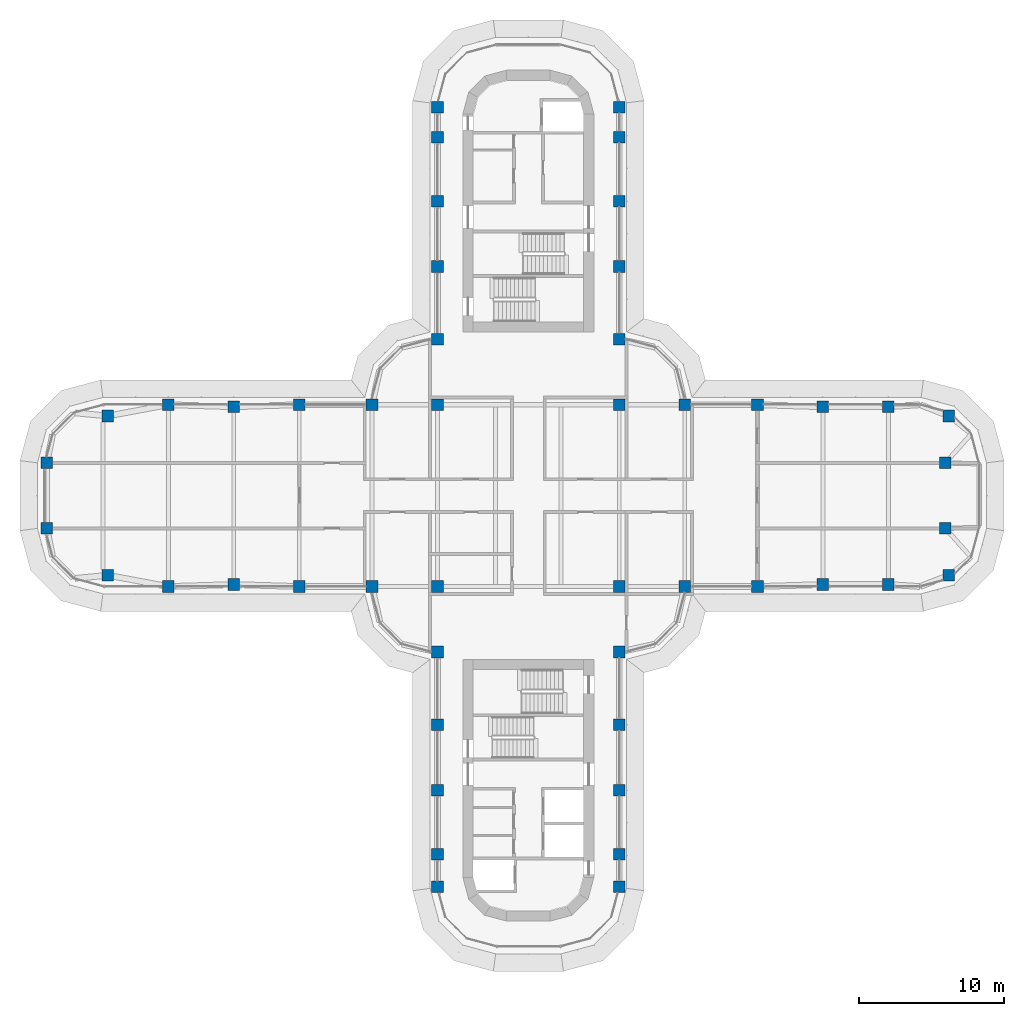
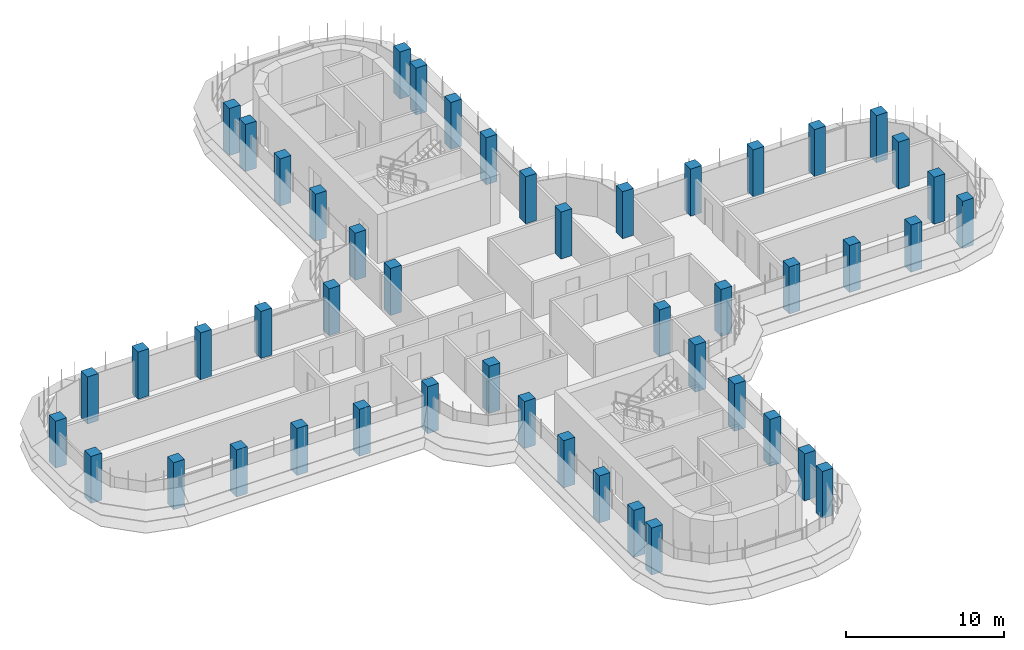
# One storey, part 1 of 19: 48 columns.
"""IFC4 building model written with IfcOpenShell, lengths in metres."""

from ifc_helpers import new_model, si_unit, direction, frame, origin, origin_2d, place, context, subcontext, project, spatial, rectangle, extrude, material, material_profile, profile_set, type_object, element, save


model = new_model("IFC4")

# Units and contexts
model_context = context("Model", 3, precision=1e-05, world=origin(), true_north=direction((0.0, 1.0)))
body_context = subcontext(model_context, "Body", "Model", "MODEL_VIEW")
ifc_project = project(units=[si_unit("LENGTHUNIT", "METRE"), si_unit("AREAUNIT", "SQUARE_METRE"), si_unit("VOLUMEUNIT", "CUBIC_METRE"), si_unit("PLANEANGLEUNIT", "RADIAN"), si_unit("MASSUNIT", "GRAM", prefix="KILO")], contexts=[model_context])

# Site, building, storey
site_placement = place(None, origin())
site = spatial("IfcSite", under=ifc_project, at=site_placement, CompositionType="ELEMENT")
building_placement = place(site_placement, origin())
building = spatial("IfcBuilding", under=site, at=building_placement, Name="Zarbagh Exchange Tower", CompositionType="ELEMENT")
storey_placement = place(building_placement, frame((0.0, 0.0, 175.199951171875)))
storey = spatial("IfcBuildingStorey", under=building, at=storey_placement, Name="L42", CompositionType="ELEMENT", Elevation=175.199951171875)

# Columns
ifc_material = material(Name="Concrete C50/60", Category="concrete")
ifc_material_profile = material_profile(ifc_material, rectangle(XDim=0.800048828125, YDim=0.800048828125, at=origin_2d()), Name="RC column 800 x 800 C50/60")
ifc_profile_set = profile_set([ifc_material_profile], Name="Concrete C50/60")
column_type = type_object("IfcColumnType", Name="RC column 800 x 800 C50/60", PredefinedType="COLUMN", material=ifc_profile_set)
for number, where, z_axis, x_axis, name in (
    (1, (-33.110107421875, -2.25, 0.0), (0.0, 0.0, 1.0), (1.0, 0.0, 0.0), "C4 10/S"),
    (2, (-33.110107421875, 2.25, 0.0), (0.0, 0.0, 1.0), (1.0, 0.0, 0.0), "C4 10/T"),
    (3, (-28.907958984375, -5.47509765625, 0.0), (0.0, 0.0, 1.0), (1.0, 0.0, 0.0), "C4 11/R"),
    (4, (-28.907958984375, 5.47509765625, 0.0), (0.0, 0.0, 1.0), (1.0, 0.0, 0.0), "C4 11/U"),
    (5, (-24.75, -6.25, 0.0), (0.0, 0.0, 1.0), (1.0, 0.0, 0.0), "C4 12/R"),
    (6, (-24.75, 6.25, 0.0), (0.0, 0.0, 1.0), (1.0, 0.0, 0.0), "C4 12/U"),
    (7, (-20.25, -6.110107421875, 0.0), (0.0, 0.0, 1.0), (1.0, 0.0, 0.0), "C4 13/R"),
    (8, (-20.25, 6.110107421875, 0.0), (0.0, 0.0, 1.0), (1.0, 0.0, 0.0), "C4 13/U"),
    (9, (-15.75, -6.25, 0.0), (0.0, 0.0, 1.0), (1.0, 0.0, 0.0), "C4 14/R"),
    (10, (-15.75, 6.25, 0.0), (0.0, 0.0, 1.0), (1.0, 0.0, 0.0), "C4 14/U"),
    (11, (-10.75, -6.25, 0.0), (0.0, 0.0, 1.0), (1.0, 0.0, 0.0), "C4 15/R"),
    (12, (-10.75, 6.25, 0.0), (0.0, 0.0, 1.0), (1.0, 0.0, 0.0), "C4 15/U"),
    (13, (-6.25, -26.89990234375, 0.0), (0.0, 0.0, 1.0), (1.0, 0.0, 0.0), "C4 16/L"),
    (14, (-6.25, -24.64990234375, 0.0), (0.0, 0.0, 1.0), (1.0, 0.0, 0.0), "C4 16/M"),
    (15, (-6.25, -20.25, 0.0), (0.0, 0.0, 1.0), (1.0, 0.0, 0.0), "C4 16/N"),
    (16, (-6.25, -15.75, 0.0), (0.0, 0.0, 1.0), (1.0, 0.0, 0.0), "C4 16/P"),
    (17, (-6.25, -10.75, 0.0), (0.0, 0.0, 1.0), (1.0, 0.0, 0.0), "C4 16/Q"),
    (18, (-6.25, -6.25, 0.0), (0.0, 0.0, 1.0), (1.0, 0.0, 0.0), "C4 16/R"),
    (19, (-6.25, 6.25, 0.0), (0.0, 0.0, 1.0), (1.0, 0.0, 0.0), "C4 16/U"),
    (20, (-6.25, 10.75, 0.0), (0.0, 0.0, 1.0), (1.0, 0.0, 0.0), "C4 16/V"),
    (21, (-6.25, 15.75, 0.0), (0.0, 0.0, 1.0), (1.0, 0.0, 0.0), "C4 16/W"),
    (22, (-6.25, 20.25, 0.0), (0.0, 0.0, 1.0), (1.0, 0.0, 0.0), "C4 16/X"),
    (23, (-6.25, 24.64990234375, 0.0), (0.0, 0.0, 1.0), (1.0, 0.0, 0.0), "C4 16/Y"),
    (24, (-6.25, 26.699951171875, 0.0), (0.0, 0.0, 1.0), (1.0, 0.0, 0.0), "C4 16/Z"),
    (25, (6.25, -26.89990234375, 0.0), (0.0, 0.0, 1.0), (1.0, 0.0, 0.0), "C4 19/L"),
    (26, (6.25, -24.64990234375, 0.0), (0.0, 0.0, 1.0), (1.0, 0.0, 0.0), "C4 19/M"),
    (27, (6.25, -20.25, 0.0), (0.0, 0.0, 1.0), (1.0, 0.0, 0.0), "C4 19/N"),
    (28, (6.25, -15.75, 0.0), (0.0, 0.0, 1.0), (1.0, 0.0, 0.0), "C4 19/P"),
    (29, (6.25, -10.75, 0.0), (0.0, 0.0, 1.0), (1.0, 0.0, 0.0), "C4 19/Q"),
    (30, (6.25, -6.25, 0.0), (0.0, 0.0, 1.0), (1.0, 0.0, 0.0), "C4 19/R"),
    (31, (6.25, 6.25, 0.0), (0.0, 0.0, 1.0), (1.0, 0.0, 0.0), "C4 19/U"),
    (32, (6.25, 10.75, 0.0), (0.0, 0.0, 1.0), (1.0, 0.0, 0.0), "C4 19/V"),
    (33, (6.25, 15.75, 0.0), (0.0, 0.0, 1.0), (1.0, 0.0, 0.0), "C4 19/W"),
    (34, (6.25, 20.25, 0.0), (0.0, 0.0, 1.0), (1.0, 0.0, 0.0), "C4 19/X"),
    (35, (6.25, 24.64990234375, 0.0), (0.0, 0.0, 1.0), (1.0, 0.0, 0.0), "C4 19/Y"),
    (36, (6.25, 26.699951171875, 0.0), (0.0, 0.0, 1.0), (1.0, 0.0, 0.0), "C4 19/Z"),
    (37, (10.75, -6.25, 0.0), (0.0, 0.0, 1.0), (1.0, 0.0, 0.0), "C4 20/R"),
    (38, (10.75, 6.25, 0.0), (0.0, 0.0, 1.0), (1.0, 0.0, 0.0), "C4 20/U"),
    (39, (15.75, -6.25, 0.0), (0.0, 0.0, 1.0), (1.0, 0.0, 0.0), "C4 21/R"),
    (40, (15.75, 6.25, 0.0), (0.0, 0.0, 1.0), (1.0, 0.0, 0.0), "C4 21/U"),
    (41, (20.25, -6.110107421875, 0.0), (0.0, 0.0, 1.0), (1.0, 0.0, 0.0), "C4 22/R"),
    (42, (20.25, 6.110107421875, 0.0), (0.0, 0.0, 1.0), (1.0, 0.0, 0.0), "C4 22/U"),
    (43, (24.75, -6.110107421875, 0.0), (0.0, 0.0, 1.0), (1.0, 0.0, 0.0), "C4 23/R"),
    (44, (24.75, 6.110107421875, 0.0), (0.0, 0.0, 1.0), (1.0, 0.0, 0.0), "C4 23/U"),
    (45, (28.907958984375, -5.47509765625, 0.0), (0.0, 0.0, 1.0), (1.0, 0.0, 0.0), "C4 24/R"),
    (46, (28.669921875, -2.25, 0.0), (0.0, 0.0, 1.0), (1.0, 0.0, 0.0), "C4 24/S"),
    (47, (28.669921875, 2.25, 0.0), (0.0, 0.0, 1.0), (1.0, 0.0, 0.0), "C4 24/T"),
    (48, (28.907958984375, 5.47509765625, 0.0), (0.0, 0.0, 1.0), (1.0, 0.0, 0.0), "C4 24/U"),
):
    element("IfcColumn", number, at=place(storey_placement, frame(where, z_axis=z_axis, x_axis=x_axis)), inside=storey, type_object=column_type, Name=name, PredefinedType="COLUMN", context=body_context, shape_type="SweptSolid", body=[
        extrude(rectangle(XDim=0.800048828125, YDim=0.800048828125, at=origin_2d()), origin(), (0.0, 0.0, 1.0), 3.650146484375),
    ])

save(model, "model.ifc")
